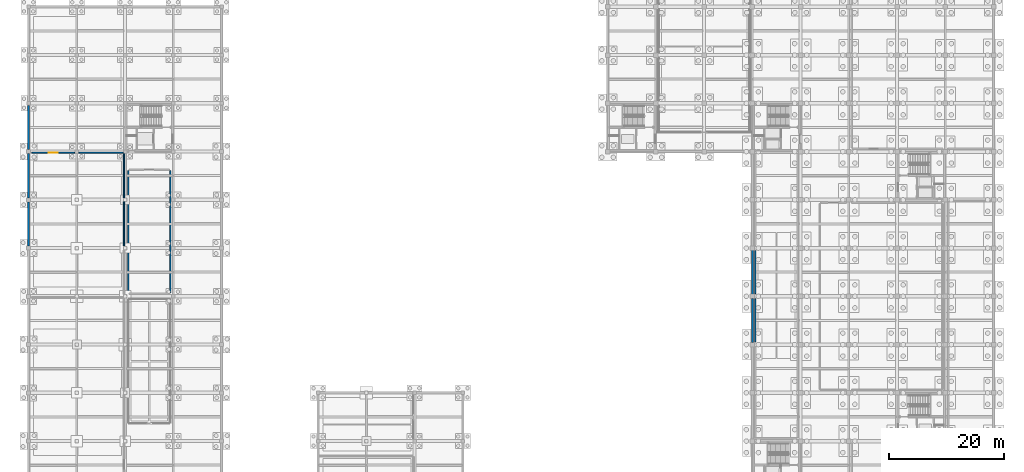
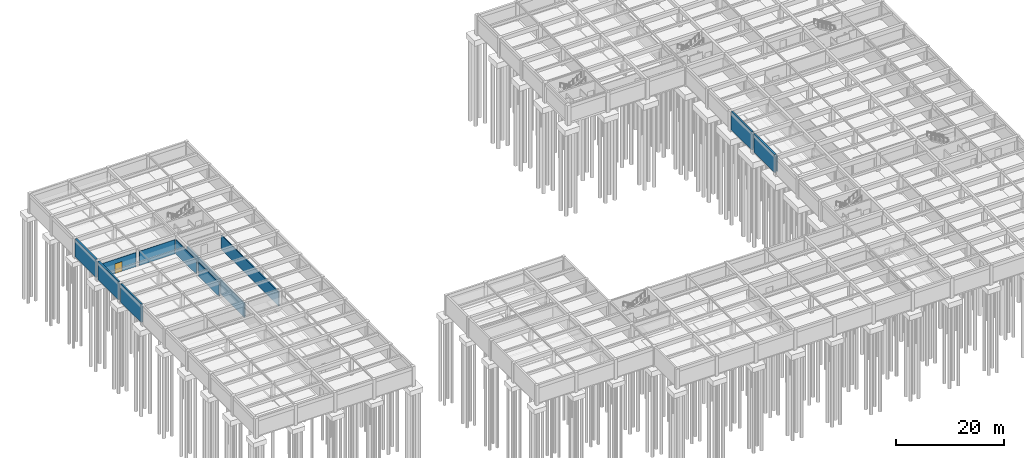
# One storey, part 19 of 33: 13 walls, 1 door, 1 opening.
"""IFC4 building model written with IfcOpenShell, lengths in metres."""

from ifc_helpers import new_model, si_unit, direction, frame, frame_2d, origin, place, context, subcontext, project, spatial, rectangle, extrude, material, layer, layer_set, type_object, element, fill, save


model = new_model("IFC4")

# Units and contexts
model_context = context("Model", 3, precision=1e-05, world=origin(), true_north=direction((0.0, 1.0)))
body_context = subcontext(model_context, "Body", "Model", "MODEL_VIEW")
ifc_project = project(units=[si_unit("LENGTHUNIT", "METRE"), si_unit("AREAUNIT", "SQUARE_METRE"), si_unit("VOLUMEUNIT", "CUBIC_METRE"), si_unit("PLANEANGLEUNIT", "RADIAN"), si_unit("MASSUNIT", "GRAM", prefix="KILO")], contexts=[model_context])

# Site, building, storey
site_placement = place(None, origin())
site = spatial("IfcSite", under=ifc_project, at=site_placement, CompositionType="ELEMENT")
building_placement = place(site_placement, origin())
building = spatial("IfcBuilding", under=site, at=building_placement, Name="Kveldsbrygga Polytechnic", CompositionType="ELEMENT")
storey_placement = place(building_placement, frame((0.0, 0.0, -4.419921875)))
storey = spatial("IfcBuildingStorey", under=building, at=storey_placement, Name="B1", CompositionType="ELEMENT", Elevation=-4.419921875)

# Walls
ifc_material_1 = material(Name="Fired clay brick masonry M10", Category="masonry")
ifc_layer_1 = layer(ifc_material_1, 0.239990234375)
ifc_layer_set_1 = layer_set([ifc_layer_1], Name="Fired clay brick masonry M10")
wall_type_1 = type_object("IfcWallType", Name="IW-COMP-240", PredefinedType="PARTITIONING", material=ifc_layer_set_1)
wall_1_placement = place(storey_placement, frame((126.5, 50.85009765625, 0.0), z_axis=(0.0, 0.0, 1.0), x_axis=(0.0, 1.0, 0.0)))
element("IfcWall", 1, at=wall_1_placement, inside=storey, type_object=wall_type_1, Name="Partition Wall IW-SP-B1-ARCH1-W3", PredefinedType="PARTITIONING", context=body_context, shape_type="SweptSolid", body=[
    extrude(rectangle(XDim=7.489990234375, YDim=0.239990234375, at=frame_2d((3.7451171875, 0.0))), origin(), (0.0, 0.0, 1.0), 3.559814453125),
])
wall_2_placement = place(storey_placement, frame((126.5, 59.260009765625, 0.0), z_axis=(0.0, 0.0, 1.0), x_axis=(0.0, 1.0, 0.0)))
element("IfcWall", 2, at=wall_2_placement, inside=storey, type_object=wall_type_1, Name="Partition Wall IW-SP-B1-ARCH1-W4", PredefinedType="PARTITIONING", context=body_context, shape_type="SweptSolid", body=[
    extrude(rectangle(XDim=7.489990234375, YDim=0.239990234375, at=frame_2d((3.7451171875, 0.0))), origin(), (0.0, 0.0, 1.0), 3.56982421875),
])

# Wall, opening, door
ifc_layer_2 = layer(ifc_material_1, 0.199951171875)
ifc_layer_set_2 = layer_set([ifc_layer_2], Name="Fired clay brick masonry M10")
wall_type_2 = type_object("IfcWallType", Name="IW-LAB-200", PredefinedType="PARTITIONING", material=ifc_layer_set_2)
wall_3_placement = place(storey_placement, frame((0.550048828125, 83.800048828125, 0.0), z_axis=(0.0, 0.0, 1.0), x_axis=(1.0, 0.0, 0.0)))
wall_3 = element("IfcWall", 3, at=wall_3_placement, inside=storey, type_object=wall_type_2, Name="Partition Wall IW-SP-B1-TEST2-N1", PredefinedType="PARTITIONING", context=body_context, shape_type="SweptSolid", body=[
    extrude(rectangle(XDim=7.47998046875, YDim=0.199951171875, at=frame_2d((3.739990234375, 0.0))), origin(), (0.0, 0.0, 1.0), 3.199951171875),
])
opening_placement = place(wall_3_placement, frame((2.989990234375, 0.0, 0.0)))
opening = element("IfcOpeningElement", 4, at=opening_placement, cuts=wall_3, Name="Opening ID-B1-002", PredefinedType="OPENING", context=body_context, shape_type="SweptSolid", body=[
    extrude(rectangle(XDim=1.5, YDim=2.199951171875, at=frame_2d((0.75, 1.10009765625))), frame((0.0, 0.10986328125, 0.0), z_axis=(0.0, -1.0, 0.0), x_axis=(1.0, 0.0, 0.0)), (0.0, 0.0, 1.0), 0.219970703125),
])
ifc_material_2 = material(Name="Acoustic oak timber", Category="wood")
door_type = type_object("IfcDoorType", Name="ID-LAB-150x220", OperationType="DOUBLE_DOOR_SINGLE_SWING", PredefinedType="DOOR", material=ifc_material_2)
door_placement = place(opening_placement, origin())
door = element("IfcDoor", 5, at=door_placement, inside=storey, type_object=door_type, Name="Interior Door ID-B1-002", OperationType="DOUBLE_DOOR_SINGLE_SWING", OverallHeight=2.199951171875, OverallWidth=1.5, PredefinedType="DOOR", context=body_context, shape_type="SweptSolid", body=[
    extrude(rectangle(XDim=1.5, YDim=2.199951171875, at=frame_2d((0.75, 1.10009765625))), frame((0.0, 0.02490234375, 0.0), z_axis=(0.0, -1.0, 0.0), x_axis=(1.0, 0.0, 0.0)), (0.0, 0.0, 1.0), 0.050048828125),
])
fill(opening, door)

# Walls
wall_4_placement = place(storey_placement, frame((8.77001953125, 83.800048828125, 0.0), z_axis=(0.0, 0.0, 1.0), x_axis=(1.0, 0.0, 0.0)))
element("IfcWall", 6, at=wall_4_placement, inside=storey, type_object=wall_type_2, Name="Partition Wall IW-SP-B1-TEST2-N2", PredefinedType="PARTITIONING", context=body_context, shape_type="SweptSolid", body=[
    extrude(rectangle(XDim=7.679931640625, YDim=0.199951171875, at=frame_2d((3.83984375, 0.0))), origin(), (0.0, 0.0, 1.0), 3.199951171875),
])
wall_5_placement = place(storey_placement, frame((16.60009765625, 67.570068359375, 0.0), z_axis=(0.0, 0.0, 1.0), x_axis=(0.0, 1.0, 0.0)))
element("IfcWall", 7, at=wall_5_placement, inside=storey, type_object=wall_type_2, Name="Partition Wall IW-SP-B1-TEST2-E2", PredefinedType="PARTITIONING", context=body_context, shape_type="SweptSolid", body=[
    extrude(rectangle(XDim=7.659912109375, YDim=0.199951171875, at=frame_2d((3.830078125, 0.0))), origin(), (0.0, 0.0, 1.0), 3.199951171875),
])
wall_6_placement = place(storey_placement, frame((16.60009765625, 75.969970703125, 0.0), z_axis=(0.0, 0.0, 1.0), x_axis=(0.0, 1.0, 0.0)))
element("IfcWall", 8, at=wall_6_placement, inside=storey, type_object=wall_type_2, Name="Partition Wall IW-SP-B1-TEST2-E3", PredefinedType="PARTITIONING", context=body_context, shape_type="SweptSolid", body=[
    extrude(rectangle(XDim=7.679931640625, YDim=0.199951171875, at=frame_2d((3.83984375, 0.0))), origin(), (0.0, 0.0, 1.0), 3.199951171875),
])
ifc_material_3 = material(Name="Concrete blockwork masonry", Category="masonry")
ifc_layer_3 = layer(ifc_material_3, 0.2099609375)
ifc_layer_set_3 = layer_set([ifc_layer_3], Name="Concrete blockwork masonry")
wall_type_3 = type_object("IfcWallType", Name="IW-PLT-210", PredefinedType="PARTITIONING", material=ifc_layer_set_3)
for number, where, z_axis, x_axis, name in (
    (9, (24.64990234375, 59.39990234375, 0.0), (0.0, 0.0, 1.0), (0.0, 1.0, 0.0), "Partition Wall IW-SP-B1-PLANT1-E1"),
    (10, (17.35009765625, 59.39990234375, 0.0), (0.0, 0.0, 1.0), (0.0, 1.0, 0.0), "Partition Wall IW-SP-B1-PLANT1-W1"),
):
    element("IfcWall", number, at=place(storey_placement, frame(where, z_axis=z_axis, x_axis=x_axis)), inside=storey, type_object=wall_type_3, Name=name, PredefinedType="PARTITIONING", context=body_context, shape_type="SweptSolid", body=[
        extrude(rectangle(XDim=21.300048828125, YDim=0.2099609375, at=frame_2d((10.64990234375, 0.0))), origin(), (0.0, 0.0, 1.0), 3.199951171875),
    ])
ifc_material_4 = material(Name="Concrete C35/45", Category="concrete")
ifc_layer_4 = layer(ifc_material_4, 0.360107421875)
ifc_layer_set_4 = layer_set([ifc_layer_4], Name="Concrete C35/45")
wall_type_4 = type_object("IfcWallType", Name="WL-RET-360", PredefinedType="USERDEFINED", material=ifc_layer_set_4)
for number, where, z_axis, x_axis, name in (
    (11, (0.0, 67.550048828125, 0.0), (0.0, 0.0, 1.0), (0.0, 1.0, 0.0), "Basement Retaining Wall RW-W-00-08"),
    (12, (0.0, 75.949951171875, 0.0), (0.0, 0.0, 1.0), (0.0, 1.0, 0.0), "Basement Retaining Wall RW-W-00-09"),
    (13, (0.0, 84.35009765625, 0.0), (0.0, 0.0, 1.0), (0.0, 1.0, 0.0), "Basement Retaining Wall RW-W-00-10"),
    (14, (126.0, 50.75, 0.0), (0.0, 0.0, 1.0), (0.0, 1.0, 0.0), "Basement Retaining Wall RW-W-15-06"),
):
    element("IfcWall", number, at=place(storey_placement, frame(where, z_axis=z_axis, x_axis=x_axis)), inside=storey, type_object=wall_type_4, Name=name, ObjectType="RETAININGWALL", PredefinedType="USERDEFINED", context=body_context, shape_type="SweptSolid", body=[
        extrude(rectangle(XDim=7.699951171875, YDim=0.360107421875, at=frame_2d((3.85009765625, 0.0))), origin(), (0.0, 0.0, 1.0), 4.119873046875),
    ])
wall_7_placement = place(storey_placement, frame((126.0, 59.14990234375, 0.0), z_axis=(0.0, 0.0, 1.0), x_axis=(0.0, 1.0, 0.0)))
element("IfcWall", 15, at=wall_7_placement, inside=storey, type_object=wall_type_4, Name="Basement Retaining Wall RW-W-15-07", ObjectType="RETAININGWALL", PredefinedType="USERDEFINED", context=body_context, shape_type="SweptSolid", body=[
    extrude(rectangle(XDim=7.7001953125, YDim=0.360107421875, at=frame_2d((3.85009765625, 0.0))), origin(), (0.0, 0.0, 1.0), 4.119873046875),
])

save(model, "model.ifc")
